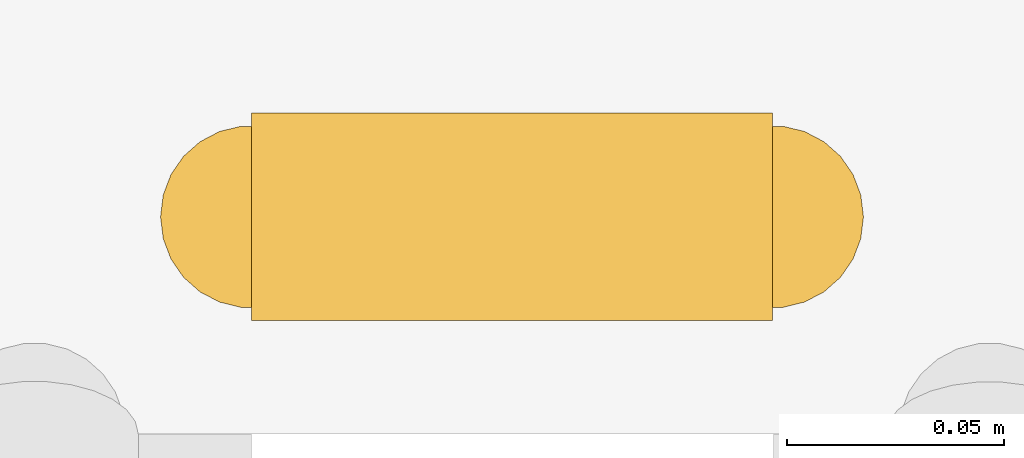
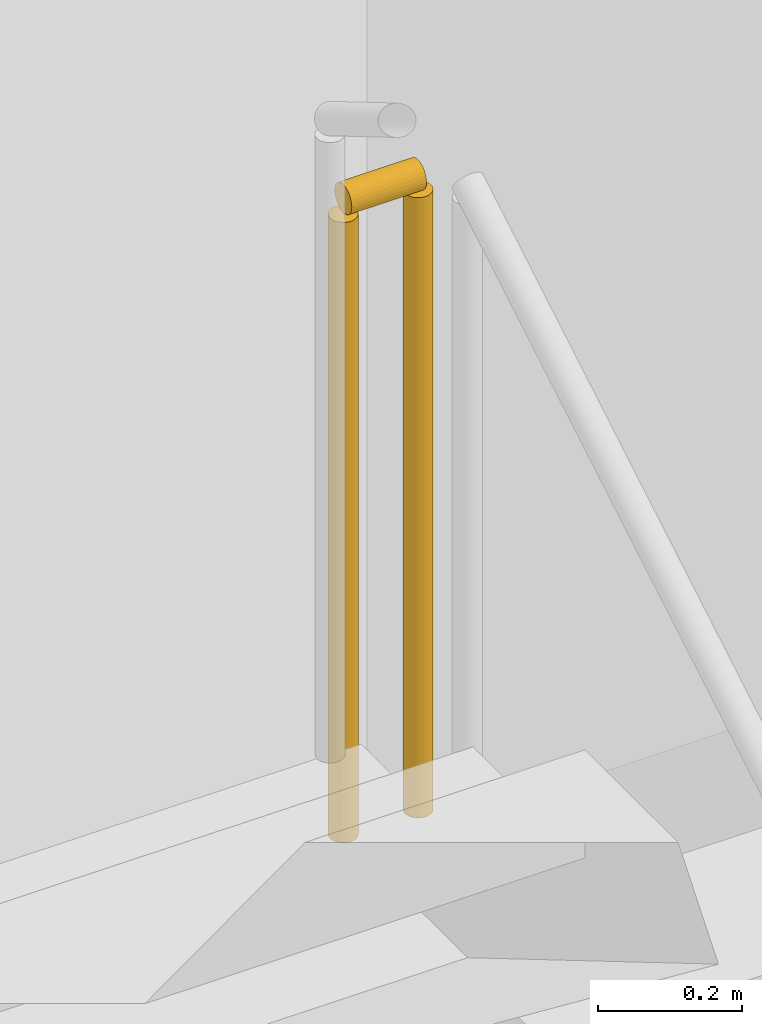
# One storey, part 29 of 30: 1 railing.
"""IFC4 building model written with IfcOpenShell, lengths in metres."""

from ifc_helpers import new_model, si_unit, direction, frame, origin, origin_2d, place, context, subcontext, project, spatial, circle, extrude, material, type_object, element, save


model = new_model("IFC4")

# Units and contexts
model_context = context("Model", 3, precision=1e-05, world=origin(), true_north=direction((0.0, 1.0)))
body_context = subcontext(model_context, "Body", "Model", "MODEL_VIEW")
ifc_project = project(units=[si_unit("LENGTHUNIT", "METRE"), si_unit("AREAUNIT", "SQUARE_METRE"), si_unit("VOLUMEUNIT", "CUBIC_METRE"), si_unit("PLANEANGLEUNIT", "RADIAN"), si_unit("MASSUNIT", "GRAM", prefix="KILO")], contexts=[model_context])

# Site, building, storey
site_placement = place(None, origin())
site = spatial("IfcSite", under=ifc_project, at=site_placement, CompositionType="ELEMENT")
building_placement = place(site_placement, origin())
building = spatial("IfcBuilding", under=site, at=building_placement, Name="Zarrinselat Tower", CompositionType="ELEMENT")
storey_placement = place(building_placement, frame((0.0, 0.0, 22.780029296875)))
storey = spatial("IfcBuildingStorey", under=building, at=storey_placement, Name="L05", CompositionType="ELEMENT", Elevation=22.780029296875)

# Railing
ifc_material = material(Name="Steel S355J2", Category="steel")
railing_type = type_object("IfcRailingType", Name="RLG-STAIR-GUARD", PredefinedType="GUARDRAIL", material=ifc_material)
railing_placement = place(storey_placement, frame((46.659912109375, 38.77001953125, 2.3798828125)))
element("IfcRailing", 1, at=railing_placement, inside=storey, type_object=railing_type, Name="L05 ST-2 stair guard 2", PredefinedType="GUARDRAIL", context=body_context, shape_type="SweptSolid", body=[
    extrude(circle(Radius=0.02392578125, at=origin_2d()), frame((0.0, 0.0, 1.076171875), z_axis=(-1.0, 0.0, 0.0), x_axis=(0.0, -1.0, 0.0)), (0.0, 0.0, 1.0), 0.119873046875),
    extrude(circle(Radius=0.02099609375, at=origin_2d()), origin(), (0.0, 0.0, 1.0), 1.050048828125),
    extrude(circle(Radius=0.02099609375, at=origin_2d()), frame((-0.119873046875, 0.0, 0.0)), (0.0, 0.0, 1.0), 1.050048828125),
])

save(model, "model.ifc")
